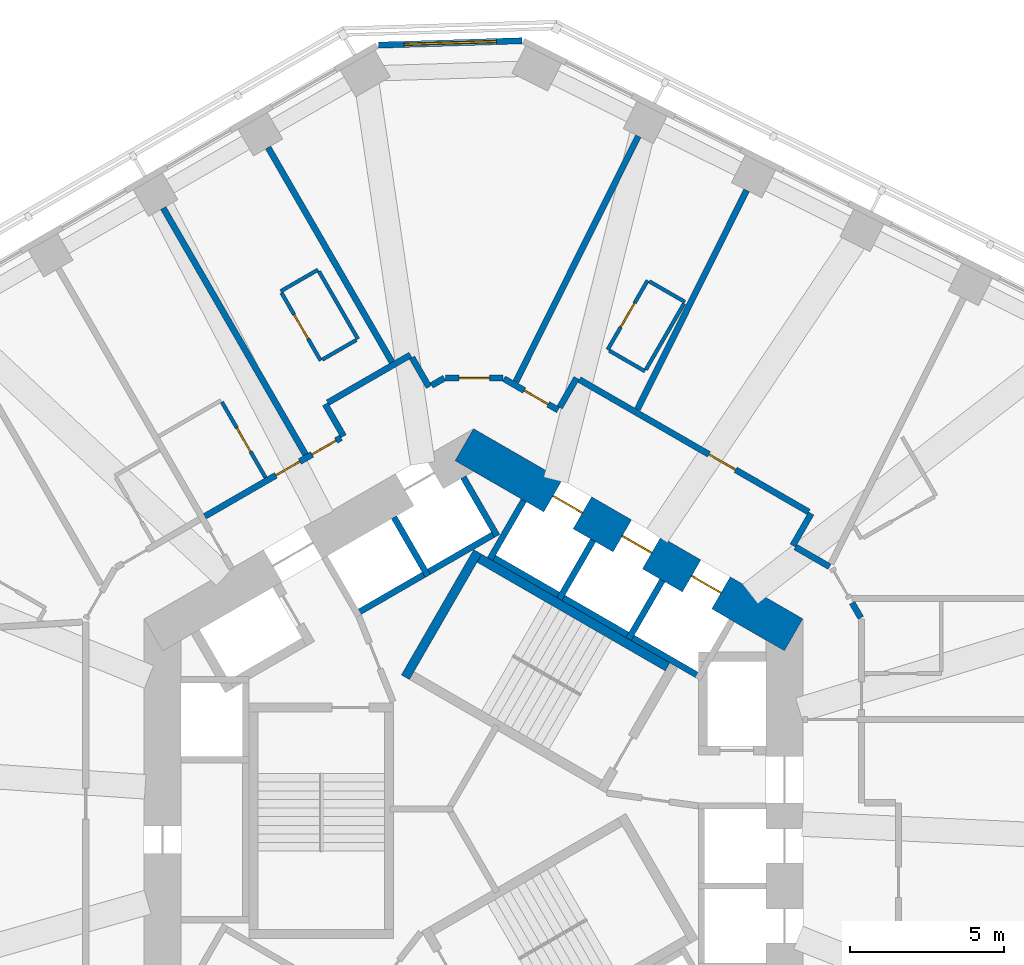
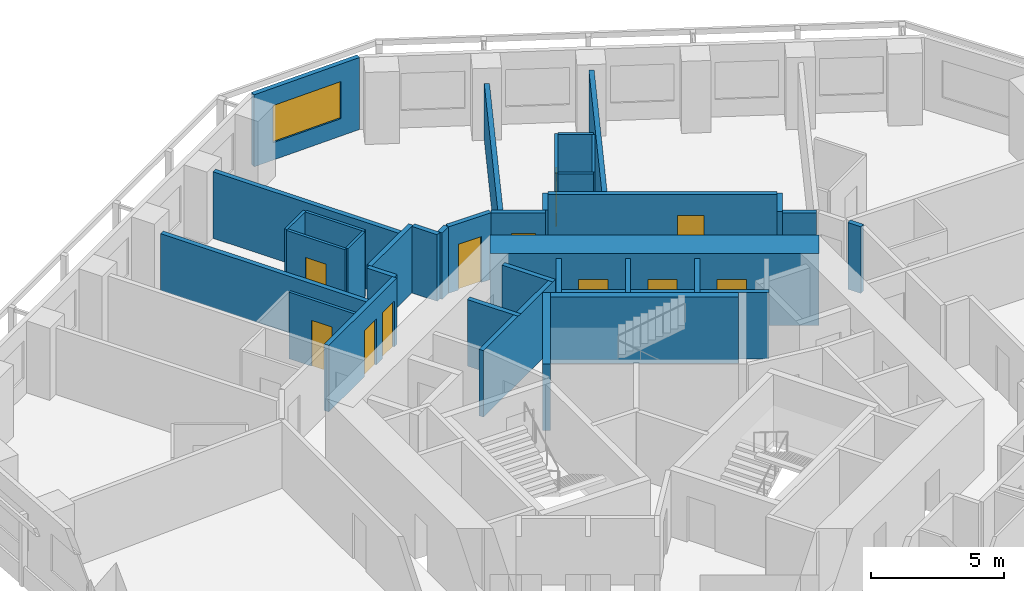
# One storey, part 8 of 12: 36 walls, 11 doors, 1 window, 12 openings.
"""IFC4 building model written with IfcOpenShell, lengths in metres."""

from ifc_helpers import new_model, si_unit, direction, frame, frame_2d, origin, place, context, subcontext, project, spatial, rectangle, extrude, material, layer, layer_set, type_object, element, fill, save


model = new_model("IFC4")

# Units and contexts
model_context = context("Model", 3, precision=1e-05, world=origin(), true_north=direction((0.0, 1.0)))
body_context = subcontext(model_context, "Body", "Model", "MODEL_VIEW")
ifc_project = project(units=[si_unit("LENGTHUNIT", "METRE"), si_unit("AREAUNIT", "SQUARE_METRE"), si_unit("VOLUMEUNIT", "CUBIC_METRE"), si_unit("PLANEANGLEUNIT", "RADIAN"), si_unit("MASSUNIT", "GRAM", prefix="KILO")], contexts=[model_context])

# Site, building, storey
site_placement = place(None, origin())
site = spatial("IfcSite", under=ifc_project, at=site_placement, CompositionType="ELEMENT")
building_placement = place(site_placement, origin())
building = spatial("IfcBuilding", under=site, at=building_placement, Name="Vanh Sen Convention Tower", CompositionType="ELEMENT")
storey_placement = place(building_placement, frame((0.0, 0.0, 110.0)))
storey = spatial("IfcBuildingStorey", under=building, at=storey_placement, Name="L26", CompositionType="ELEMENT", Elevation=110.0)

# Wall, opening, door
ifc_material_1 = material(Name="Moisture-resistant gypsum board on steel studs", Category="steel")
ifc_layer_1 = layer(ifc_material_1, 0.1201171875)
ifc_layer_set_1 = layer_set([ifc_layer_1], Name="Moisture-resistant gypsum board on steel studs")
wall_type_1 = type_object("IfcWallType", Name="Bathroom partition 120", PredefinedType="PARTITIONING", material=ifc_layer_set_1)
wall_1_placement = place(storey_placement, frame((-8.177001953125, 13.222900390625, 0.0), z_axis=(0.0, 0.0, 1.0), x_axis=(0.500087089641, -0.865975116718, 0.0)))
wall_1 = element("IfcWall", 1, at=wall_1_placement, inside=storey, type_object=wall_type_1, Name="Bathroom partition 120", PredefinedType="PARTITIONING", context=body_context, shape_type="SweptSolid", body=[
    extrude(rectangle(XDim=2.83984375, YDim=0.1201171875, at=frame_2d((1.419921875, 0.0))), origin(), (0.0, 0.0, 1.0), 3.050048828125),
])
opening_1_placement = place(wall_1_placement, frame((0.969970703125, 0.0, 0.0)))
opening_1 = element("IfcOpeningElement", 2, at=opening_1_placement, cuts=wall_1, Name="Opening D25113", PredefinedType="OPENING", context=body_context, shape_type="SweptSolid", body=[
    extrude(rectangle(XDim=0.89990234375, YDim=2.10009765625, at=frame_2d((0.449951171875, 1.050048828125))), frame((0.0, 0.070068359375, 0.0), z_axis=(0.0, -1.0, 0.0), x_axis=(1.0, 0.0, 0.0)), (0.0, 0.0, 1.0), 0.14013671875),
])
ifc_material_2 = material(Name="Laminate door in steel frame", Category="steel")
door_type_1 = type_object("IfcDoorType", Name="En-suite door 900", OperationType="SINGLE_SWING_LEFT", PredefinedType="DOOR", material=ifc_material_2)
door_1_placement = place(opening_1_placement, origin())
door_1 = element("IfcDoor", 3, at=door_1_placement, inside=storey, type_object=door_type_1, Name="En-suite door D25113", OperationType="SINGLE_SWING_LEFT", OverallHeight=2.10009765625, OverallWidth=0.89990234375, PredefinedType="DOOR", context=body_context, shape_type="SweptSolid", body=[
    extrude(rectangle(XDim=0.89990234375, YDim=2.10009765625, at=frame_2d((0.449951171875, 1.050048828125))), frame((0.0, 0.02490234375, 0.0), z_axis=(0.0, -1.0, 0.0), x_axis=(1.0, 0.0, 0.0)), (0.0, 0.0, 1.0), 0.050048828125),
])
fill(opening_1, door_1)

# Walls
wall_2_placement = place(storey_placement, frame((-6.268310546875, 16.8203125, 0.0), z_axis=(0.0, 0.0, 1.0), x_axis=(0.866002662425, 0.500039387122, 0.0)))
element("IfcWall", 4, at=wall_2_placement, inside=storey, type_object=wall_type_1, Name="Bathroom partition 120", PredefinedType="PARTITIONING", context=body_context, shape_type="SweptSolid", body=[
    extrude(rectangle(XDim=1.400390625, YDim=0.1201171875, at=frame_2d((0.7001953125, 0.0))), origin(), (0.0, 0.0, 1.0), 3.050048828125),
])
wall_3_placement = place(storey_placement, frame((-5.025634765625, 17.468505859375, 0.0), z_axis=(0.0, 0.0, 1.0), x_axis=(0.500005339912, -0.866022320763, 0.0)))
element("IfcWall", 5, at=wall_3_placement, inside=storey, type_object=wall_type_1, Name="Bathroom partition 120", PredefinedType="PARTITIONING", context=body_context, shape_type="SweptSolid", body=[
    extrude(rectangle(XDim=2.5400390625, YDim=0.1201171875, at=frame_2d((1.27001953125, 0.0))), origin(), (0.0, 0.0, 1.0), 3.050048828125),
])

# Wall, opening, door
wall_4_placement = place(storey_placement, frame((-4.96826171875, 14.56884765625, 0.0), z_axis=(0.0, 0.0, 1.0), x_axis=(-0.500046963369, 0.865998287773, 0.0)))
wall_4 = element("IfcWall", 6, at=wall_4_placement, inside=storey, type_object=wall_type_1, Name="Bathroom partition 120", PredefinedType="PARTITIONING", context=body_context, shape_type="SweptSolid", body=[
    extrude(rectangle(XDim=2.539794921875, YDim=0.1201171875, at=frame_2d((1.27001953125, 0.0))), origin(), (0.0, 0.0, 1.0), 3.050048828125),
])
opening_2_placement = place(wall_4_placement, frame((0.820068359375, 0.0, 0.0)))
opening_2 = element("IfcOpeningElement", 7, at=opening_2_placement, cuts=wall_4, Name="Opening D25111", PredefinedType="OPENING", context=body_context, shape_type="SweptSolid", body=[
    extrude(rectangle(XDim=0.89990234375, YDim=2.10009765625, at=frame_2d((0.449951171875, 1.050048828125))), frame((0.0, 0.070068359375, 0.0), z_axis=(0.0, -1.0, 0.0), x_axis=(1.0, 0.0, 0.0)), (0.0, 0.0, 1.0), 0.14013671875),
])
door_2_placement = place(opening_2_placement, origin())
door_2 = element("IfcDoor", 8, at=door_2_placement, inside=storey, type_object=door_type_1, Name="En-suite door D25111", OperationType="SINGLE_SWING_LEFT", OverallHeight=2.10009765625, OverallWidth=0.89990234375, PredefinedType="DOOR", context=body_context, shape_type="SweptSolid", body=[
    extrude(rectangle(XDim=0.89990234375, YDim=2.10009765625, at=frame_2d((0.449951171875, 1.050048828125))), frame((0.0, 0.02490234375, 0.0), z_axis=(0.0, -1.0, 0.0), x_axis=(1.0, 0.0, 0.0)), (0.0, 0.0, 1.0), 0.050048828125),
])
fill(opening_2, door_2)

# Wall
wall_5_placement = place(storey_placement, frame((-3.8076171875, 15.23876953125, 0.0), z_axis=(0.0, 0.0, 1.0), x_axis=(-0.866087136806, -0.499893060024, 0.0)))
element("IfcWall", 9, at=wall_5_placement, inside=storey, type_object=wall_type_1, Name="Bathroom partition 120", PredefinedType="PARTITIONING", context=body_context, shape_type="SweptSolid", body=[
    extrude(rectangle(XDim=1.280029296875, YDim=0.1201171875, at=frame_2d((0.64013671875, 0.0))), origin(), (0.0, 0.0, 1.0), 3.050048828125),
])

# Wall, opening, door
wall_6_placement = place(storey_placement, frame((4.356201171875, 14.922119140625, 0.0), z_axis=(0.0, 0.0, 1.0), x_axis=(0.499936506574, 0.866062058628, 0.0)))
wall_6 = element("IfcWall", 10, at=wall_6_placement, inside=storey, type_object=wall_type_1, Name="Bathroom partition 120", PredefinedType="PARTITIONING", context=body_context, shape_type="SweptSolid", body=[
    extrude(rectangle(XDim=2.599853515625, YDim=0.1201171875, at=frame_2d((1.2998046875, 0.0))), origin(), (0.0, 0.0, 1.0), 3.050048828125),
])
opening_3_placement = place(wall_6_placement, frame((0.85009765625, 0.0, 0.0)))
opening_3 = element("IfcOpeningElement", 11, at=opening_3_placement, cuts=wall_6, Name="Opening D25108", PredefinedType="OPENING", context=body_context, shape_type="SweptSolid", body=[
    extrude(rectangle(XDim=0.89990234375, YDim=2.10009765625, at=frame_2d((0.449951171875, 1.050048828125))), frame((0.0, 0.070068359375, 0.0), z_axis=(0.0, -1.0, 0.0), x_axis=(1.0, 0.0, 0.0)), (0.0, 0.0, 1.0), 0.14013671875),
])
door_3_placement = place(opening_3_placement, origin())
door_3 = element("IfcDoor", 12, at=door_3_placement, inside=storey, type_object=door_type_1, Name="En-suite door D25108", OperationType="SINGLE_SWING_LEFT", OverallHeight=2.10009765625, OverallWidth=0.89990234375, PredefinedType="DOOR", context=body_context, shape_type="SweptSolid", body=[
    extrude(rectangle(XDim=0.89990234375, YDim=2.10009765625, at=frame_2d((0.449951171875, 1.050048828125))), frame((0.0, 0.02490234375, 0.0), z_axis=(0.0, -1.0, 0.0), x_axis=(1.0, 0.0, 0.0)), (0.0, 0.0, 1.0), 0.050048828125),
])
fill(opening_3, door_3)

# Walls
wall_7_placement = place(storey_placement, frame((5.568603515625, 14.22216796875, 0.0), z_axis=(0.0, 0.0, 1.0), x_axis=(-0.866036909293, 0.499980071345, 0.0)))
element("IfcWall", 13, at=wall_7_placement, inside=storey, type_object=wall_type_1, Name="Bathroom partition 120", PredefinedType="PARTITIONING", context=body_context, shape_type="SweptSolid", body=[
    extrude(rectangle(XDim=1.33984375, YDim=0.1201171875, at=frame_2d((0.669921875, 0.0))), origin(), (0.0, 0.0, 1.0), 3.050048828125),
])
wall_8_placement = place(storey_placement, frame((5.7080078125, 17.143798828125, 0.0), z_axis=(0.0, 0.0, 1.0), x_axis=(0.866082447003, -0.499901185229, 0.0)))
element("IfcWall", 14, at=wall_8_placement, inside=storey, type_object=wall_type_1, Name="Bathroom partition 120", PredefinedType="PARTITIONING", context=body_context, shape_type="SweptSolid", body=[
    extrude(rectangle(XDim=1.340087890625, YDim=0.1201171875, at=frame_2d((0.669921875, 0.0))), origin(), (0.0, 0.0, 1.0), 3.050048828125),
])
wall_9_placement = place(storey_placement, frame((6.838623046875, 16.421875, 0.0), z_axis=(0.0, 0.0, 1.0), x_axis=(-0.50000366821, -0.866023285932, 0.0)))
element("IfcWall", 15, at=wall_9_placement, inside=storey, type_object=wall_type_1, Name="Bathroom partition 120", PredefinedType="PARTITIONING", context=body_context, shape_type="SweptSolid", body=[
    extrude(rectangle(XDim=2.47998046875, YDim=0.1201171875, at=frame_2d((1.239990234375, 0.0))), origin(), (0.0, 0.0, 1.0), 3.050048828125),
])

# Wall, openings, doors
ifc_material_3 = material(Name="Concrete C80/95", Category="concrete")
ifc_layer_2 = layer(ifc_material_3, 1.199951171875)
ifc_layer_set_2 = layer_set([ifc_layer_2], Name="Concrete C80/95")
wall_type_2 = type_object("IfcWallType", Name="Core outer wall 1200 C80/95", PredefinedType="SHEAR", material=ifc_layer_set_2)
wall_10_placement = place(storey_placement, frame((10.39990234375, 5.657958984375, 0.0), z_axis=(0.0, 0.0, 1.0), x_axis=(-0.866021384402, 0.500006961711, 0.0)))
wall_10 = element("IfcWall", 16, at=wall_10_placement, inside=storey, type_object=wall_type_2, Name="Core wall face NE L26", PredefinedType="SHEAR", context=body_context, shape_type="SweptSolid", body=[
    extrude(rectangle(XDim=12.355224609375, YDim=1.199951171875, at=frame_2d((6.177734375, 0.0))), origin(), (0.0, 0.0, 1.0), 3.300048828125),
])
opening_4_placement = place(wall_10_placement, frame((2.727783203125, 0.0, 0.0)))
opening_4 = element("IfcOpeningElement", 17, at=opening_4_placement, cuts=wall_10, Name="Opening LD-LR3", PredefinedType="OPENING", context=body_context, shape_type="SweptSolid", body=[
    extrude(rectangle(XDim=1.10009765625, YDim=2.10009765625, at=frame_2d((0.550048828125, 1.050048828125))), frame((0.0, 0.60986328125, 0.0), z_axis=(0.0, -1.0, 0.0), x_axis=(1.0, 0.0, 0.0)), (0.0, 0.0, 1.0), 1.219970703125),
])
opening_5_placement = place(wall_10_placement, frame((5.32763671875, 0.0, 0.0)))
opening_5 = element("IfcOpeningElement", 18, at=opening_5_placement, cuts=wall_10, Name="Opening LD-LR4", PredefinedType="OPENING", context=body_context, shape_type="SweptSolid", body=[
    extrude(rectangle(XDim=1.10009765625, YDim=2.10009765625, at=frame_2d((0.550048828125, 1.050048828125))), frame((0.0, 0.60986328125, 0.0), z_axis=(0.0, -1.0, 0.0), x_axis=(1.0, 0.0, 0.0)), (0.0, 0.0, 1.0), 1.219970703125),
])
opening_6_placement = place(wall_10_placement, frame((7.927734375, 0.0, 0.0)))
opening_6 = element("IfcOpeningElement", 19, at=opening_6_placement, cuts=wall_10, Name="Opening LD-LR5", PredefinedType="OPENING", context=body_context, shape_type="SweptSolid", body=[
    extrude(rectangle(XDim=1.10009765625, YDim=2.10009765625, at=frame_2d((0.550048828125, 1.050048828125))), frame((0.0, 0.60986328125, 0.0), z_axis=(0.0, -1.0, 0.0), x_axis=(1.0, 0.0, 0.0)), (0.0, 0.0, 1.0), 1.219970703125),
])
ifc_material_4 = material(Name="Stainless steel", Category="steel")
door_type_2 = type_object("IfcDoorType", Name="Lift landing door 1100", OperationType="DOUBLE_DOOR_SLIDING", PredefinedType="DOOR", material=ifc_material_4)
door_4_placement = place(opening_4_placement, origin())
door_4 = element("IfcDoor", 20, at=door_4_placement, inside=storey, type_object=door_type_2, Name="Lift LR3 landing door LD-LR3", OperationType="DOUBLE_DOOR_SLIDING", OverallHeight=2.10009765625, OverallWidth=1.10009765625, PredefinedType="DOOR", context=body_context, shape_type="SweptSolid", body=[
    extrude(rectangle(XDim=1.10009765625, YDim=2.10009765625, at=frame_2d((0.550048828125, 1.050048828125))), frame((0.0, 0.02490234375, 0.0), z_axis=(0.0, -1.0, 0.0), x_axis=(1.0, 0.0, 0.0)), (0.0, 0.0, 1.0), 0.050048828125),
])
fill(opening_4, door_4)
door_5_placement = place(opening_5_placement, origin())
door_5 = element("IfcDoor", 21, at=door_5_placement, inside=storey, type_object=door_type_2, Name="Lift LR4 landing door LD-LR4", OperationType="DOUBLE_DOOR_SLIDING", OverallHeight=2.10009765625, OverallWidth=1.10009765625, PredefinedType="DOOR", context=body_context, shape_type="SweptSolid", body=[
    extrude(rectangle(XDim=1.10009765625, YDim=2.10009765625, at=frame_2d((0.550048828125, 1.050048828125))), frame((0.0, 0.02490234375, 0.0), z_axis=(0.0, -1.0, 0.0), x_axis=(1.0, 0.0, 0.0)), (0.0, 0.0, 1.0), 0.050048828125),
])
fill(opening_5, door_5)
door_6_placement = place(opening_6_placement, origin())
door_6 = element("IfcDoor", 22, at=door_6_placement, inside=storey, type_object=door_type_2, Name="Lift LR5 landing door LD-LR5", OperationType="DOUBLE_DOOR_SLIDING", OverallHeight=2.10009765625, OverallWidth=1.10009765625, PredefinedType="DOOR", context=body_context, shape_type="SweptSolid", body=[
    extrude(rectangle(XDim=1.10009765625, YDim=2.10009765625, at=frame_2d((0.550048828125, 1.050048828125))), frame((0.0, 0.02490234375, 0.0), z_axis=(0.0, -1.0, 0.0), x_axis=(1.0, 0.0, 0.0)), (0.0, 0.0, 1.0), 0.050048828125),
])
fill(opening_6, door_6)

# Wall
ifc_material_5 = material(Name="Gypsum board on steel studs with mineral wool", Category="steel")
ifc_layer_3 = layer(ifc_material_5, 0.199951171875)
ifc_layer_set_3 = layer_set([ifc_layer_3], Name="Gypsum board on steel studs with mineral wool")
wall_type_3 = type_object("IfcWallType", Name="Corridor partition wall 200", PredefinedType="PARTITIONING", material=ifc_layer_set_3)
wall_11_placement = place(storey_placement, frame((-4.822998046875, 13.151611328125, 0.0), z_axis=(0.0, 0.0, 1.0), x_axis=(0.499986357472, -0.866033280158, 0.0)))
element("IfcWall", 23, at=wall_11_placement, inside=storey, type_object=wall_type_3, Name="Corridor partition wall 200", PredefinedType="PARTITIONING", context=body_context, shape_type="SweptSolid", body=[
    extrude(rectangle(XDim=1.201171875, YDim=0.199951171875, at=frame_2d((0.6005859375, 0.0))), origin(), (0.0, 0.0, 1.0), 3.050048828125),
])

# Wall, openings, doors
wall_12_placement = place(storey_placement, frame((-4.30908203125, 12.061279296875, 0.0), z_axis=(0.0, 0.0, 1.0), x_axis=(-0.866020679205, -0.500008183122, 0.0)))
wall_12 = element("IfcWall", 24, at=wall_12_placement, inside=storey, type_object=wall_type_3, Name="Corridor partition wall 200", PredefinedType="PARTITIONING", context=body_context, shape_type="SweptSolid", body=[
    extrude(rectangle(XDim=5.103515625, YDim=0.199951171875, at=frame_2d((2.5517578125, 0.0))), origin(), (0.0, 0.0, 1.0), 3.050048828125),
])
opening_7_placement = place(wall_12_placement, frame((0.1845703125, 0.0, 0.0)))
opening_7 = element("IfcOpeningElement", 25, at=opening_7_placement, cuts=wall_12, Name="Opening D25110", PredefinedType="OPENING", context=body_context, shape_type="SweptSolid", body=[
    extrude(rectangle(XDim=0.89990234375, YDim=2.10009765625, at=frame_2d((0.449951171875, 1.050048828125))), frame((0.0, 0.10986328125, 0.0), z_axis=(0.0, -1.0, 0.0), x_axis=(1.0, 0.0, 0.0)), (0.0, 0.0, 1.0), 0.219970703125),
])
opening_8_placement = place(wall_12_placement, frame((1.5439453125, 0.0, 0.0)))
opening_8 = element("IfcOpeningElement", 26, at=opening_8_placement, cuts=wall_12, Name="Opening D25112", PredefinedType="OPENING", context=body_context, shape_type="SweptSolid", body=[
    extrude(rectangle(XDim=0.89990234375, YDim=2.10009765625, at=frame_2d((0.449951171875, 1.050048828125))), frame((0.0, 0.10986328125, 0.0), z_axis=(0.0, -1.0, 0.0), x_axis=(1.0, 0.0, 0.0)), (0.0, 0.0, 1.0), 0.219970703125),
])
ifc_material_6 = material(Name="Timber fire door in steel frame", Category="steel")
door_type_3 = type_object("IfcDoorType", Name="Guest room door 900", OperationType="SINGLE_SWING_LEFT", PredefinedType="DOOR", material=ifc_material_6)
door_7_placement = place(opening_7_placement, origin())
door_7 = element("IfcDoor", 27, at=door_7_placement, inside=storey, type_object=door_type_3, Name="Hotel guest room door D25110", OperationType="SINGLE_SWING_LEFT", OverallHeight=2.10009765625, OverallWidth=0.89990234375, PredefinedType="DOOR", context=body_context, shape_type="SweptSolid", body=[
    extrude(rectangle(XDim=0.89990234375, YDim=2.10009765625, at=frame_2d((0.449951171875, 1.050048828125))), frame((0.0, 0.02490234375, 0.0), z_axis=(0.0, -1.0, 0.0), x_axis=(1.0, 0.0, 0.0)), (0.0, 0.0, 1.0), 0.050048828125),
])
fill(opening_7, door_7)
door_8_placement = place(opening_8_placement, origin())
door_8 = element("IfcDoor", 28, at=door_8_placement, inside=storey, type_object=door_type_3, Name="Hotel guest room door D25112", OperationType="SINGLE_SWING_LEFT", OverallHeight=2.10009765625, OverallWidth=0.89990234375, PredefinedType="DOOR", context=body_context, shape_type="SweptSolid", body=[
    extrude(rectangle(XDim=0.89990234375, YDim=2.10009765625, at=frame_2d((0.449951171875, 1.050048828125))), frame((0.0, 0.02490234375, 0.0), z_axis=(0.0, -1.0, 0.0), x_axis=(1.0, 0.0, 0.0)), (0.0, 0.0, 1.0), 0.050048828125),
])
fill(opening_8, door_8)

# Walls
wall_13_placement = place(storey_placement, frame((-2.0498046875, 14.75244140625, 0.0), z_axis=(0.0, 0.0, 1.0), x_axis=(-0.866030936828, -0.499990416364, 0.0)))
element("IfcWall", 29, at=wall_13_placement, inside=storey, type_object=wall_type_3, Name="Corridor partition wall 200", PredefinedType="PARTITIONING", context=body_context, shape_type="SweptSolid", body=[
    extrude(rectangle(XDim=3.10205078125, YDim=0.199951171875, at=frame_2d((1.551025390625, 0.0))), origin(), (0.0, 0.0, 1.0), 3.050048828125),
])
wall_14_placement = place(storey_placement, frame((-1.449462890625, 13.71240234375, 0.0), z_axis=(0.0, 0.0, 1.0), x_axis=(-0.499978356969, 0.866037899034, 0.0)))
element("IfcWall", 30, at=wall_14_placement, inside=storey, type_object=wall_type_3, Name="Corridor partition wall 200", PredefinedType="PARTITIONING", context=body_context, shape_type="SweptSolid", body=[
    extrude(rectangle(XDim=1.10107421875, YDim=0.199951171875, at=frame_2d((0.550537109375, 0.0))), origin(), (0.0, 0.0, 1.0), 3.050048828125),
])
wall_15_placement = place(storey_placement, frame((-0.949951171875, 14.000732421875, 0.0), z_axis=(0.0, 0.0, 1.0), x_axis=(-0.86609177584, -0.499885022602, 0.0)))
element("IfcWall", 31, at=wall_15_placement, inside=storey, type_object=wall_type_3, Name="Corridor partition wall 200", PredefinedType="PARTITIONING", context=body_context, shape_type="SweptSolid", body=[
    extrude(rectangle(XDim=0.4765625, YDim=0.199951171875, at=frame_2d((0.23828125, 0.0))), origin(), (0.0, 0.0, 1.0), 3.050048828125),
])

# Wall, opening, door
wall_16_placement = place(storey_placement, frame((0.949951171875, 14.000732421875, 0.0), z_axis=(0.0, 0.0, 1.0), x_axis=(-1.0, 0.0, 0.0)))
wall_16 = element("IfcWall", 32, at=wall_16_placement, inside=storey, type_object=wall_type_3, Name="Corridor partition wall 200", PredefinedType="PARTITIONING", context=body_context, shape_type="SweptSolid", body=[
    extrude(rectangle(XDim=1.85986328125, YDim=0.199951171875, at=frame_2d((0.929931640625, 0.0))), origin(), (0.0, 0.0, 1.0), 3.050048828125),
])
opening_9_placement = place(wall_16_placement, frame((0.429931640625, 0.0, 0.0)))
opening_9 = element("IfcOpeningElement", 33, at=opening_9_placement, cuts=wall_16, Name="Opening D25109", PredefinedType="OPENING", context=body_context, shape_type="SweptSolid", body=[
    extrude(rectangle(XDim=1.0, YDim=2.10009765625, at=frame_2d((0.5, 1.050048828125))), frame((0.0, 0.10986328125, 0.0), z_axis=(0.0, -1.0, 0.0), x_axis=(1.0, 0.0, 0.0)), (0.0, 0.0, 1.0), 0.219970703125),
])
door_type_4 = type_object("IfcDoorType", Name="Floor room door 1000", OperationType="SINGLE_SWING_LEFT", PredefinedType="DOOR", material=ifc_material_6)
door_9_placement = place(opening_9_placement, origin())
door_9 = element("IfcDoor", 34, at=door_9_placement, inside=storey, type_object=door_type_4, Name="Meeting and amenity room door D25109", OperationType="SINGLE_SWING_LEFT", OverallHeight=2.10009765625, OverallWidth=1.0, PredefinedType="DOOR", context=body_context, shape_type="SweptSolid", body=[
    extrude(rectangle(XDim=1.0, YDim=2.10009765625, at=frame_2d((0.5, 1.050048828125))), frame((0.0, 0.02490234375, 0.0), z_axis=(0.0, -1.0, 0.0), x_axis=(1.0, 0.0, 0.0)), (0.0, 0.0, 1.0), 0.050048828125),
])
fill(opening_9, door_9)

wall_17_placement = place(storey_placement, frame((2.748291015625, 12.96240234375, 0.0), z_axis=(0.0, 0.0, 1.0), x_axis=(-0.866013897511, 0.50001992892, 0.0)))
wall_17 = element("IfcWall", 35, at=wall_17_placement, inside=storey, type_object=wall_type_3, Name="Corridor partition wall 200", PredefinedType="PARTITIONING", context=body_context, shape_type="SweptSolid", body=[
    extrude(rectangle(XDim=2.03662109375, YDim=0.199951171875, at=frame_2d((1.018310546875, 0.0))), origin(), (0.0, 0.0, 1.0), 3.050048828125),
])
opening_10_placement = place(wall_17_placement, frame((0.371826171875, 0.0, 0.0)))
opening_10 = element("IfcOpeningElement", 36, at=opening_10_placement, cuts=wall_17, Name="Opening D25107", PredefinedType="OPENING", context=body_context, shape_type="SweptSolid", body=[
    extrude(rectangle(XDim=0.89990234375, YDim=2.10009765625, at=frame_2d((0.449951171875, 1.050048828125))), frame((0.0, 0.10986328125, 0.0), z_axis=(0.0, -1.0, 0.0), x_axis=(1.0, 0.0, 0.0)), (0.0, 0.0, 1.0), 0.219970703125),
])
door_10_placement = place(opening_10_placement, origin())
door_10 = element("IfcDoor", 37, at=door_10_placement, inside=storey, type_object=door_type_3, Name="Hotel guest room door D25107", OperationType="SINGLE_SWING_LEFT", OverallHeight=2.10009765625, OverallWidth=0.89990234375, PredefinedType="DOOR", context=body_context, shape_type="SweptSolid", body=[
    extrude(rectangle(XDim=0.89990234375, YDim=2.10009765625, at=frame_2d((0.449951171875, 1.050048828125))), frame((0.0, 0.02490234375, 0.0), z_axis=(0.0, -1.0, 0.0), x_axis=(1.0, 0.0, 0.0)), (0.0, 0.0, 1.0), 0.050048828125),
])
fill(opening_10, door_10)

# Walls
wall_18_placement = place(storey_placement, frame((3.348876953125, 14.00244140625, 0.0), z_axis=(0.0, 0.0, 1.0), x_axis=(-0.500074377092, -0.865982457891, 0.0)))
element("IfcWall", 38, at=wall_18_placement, inside=storey, type_object=wall_type_3, Name="Corridor partition wall 200", PredefinedType="PARTITIONING", context=body_context, shape_type="SweptSolid", body=[
    extrude(rectangle(XDim=1.100830078125, YDim=0.199951171875, at=frame_2d((0.55029296875, 0.0))), origin(), (0.0, 0.0, 1.0), 3.050048828125),
])
wall_19_placement = place(storey_placement, frame((10.37109375, 8.561279296875, 0.0), z_axis=(0.0, 0.0, 1.0), x_axis=(0.499986357472, 0.866033280158, 0.0)))
element("IfcWall", 39, at=wall_19_placement, inside=storey, type_object=wall_type_3, Name="Corridor partition wall 200", PredefinedType="PARTITIONING", context=body_context, shape_type="SweptSolid", body=[
    extrude(rectangle(XDim=1.201171875, YDim=0.199951171875, at=frame_2d((0.6005859375, 0.0))), origin(), (0.0, 0.0, 1.0), 3.050048828125),
])

# Wall, opening, door
wall_20_placement = place(storey_placement, frame((10.885009765625, 9.651611328125, 0.0), z_axis=(0.0, 0.0, 1.0), x_axis=(-0.866033868542, 0.499985338323, 0.0)))
wall_20 = element("IfcWall", 40, at=wall_20_placement, inside=storey, type_object=wall_type_3, Name="Corridor partition wall 200", PredefinedType="PARTITIONING", context=body_context, shape_type="SweptSolid", body=[
    extrude(rectangle(XDim=8.601806640625, YDim=0.199951171875, at=frame_2d((4.30078125, 0.0))), origin(), (0.0, 0.0, 1.0), 3.050048828125),
])
opening_11_placement = place(wall_20_placement, frame((2.738525390625, 0.0, 0.0)))
opening_11 = element("IfcOpeningElement", 41, at=opening_11_placement, cuts=wall_20, Name="Opening D25106", PredefinedType="OPENING", context=body_context, shape_type="SweptSolid", body=[
    extrude(rectangle(XDim=1.0, YDim=2.10009765625, at=frame_2d((0.5, 1.050048828125))), frame((0.0, 0.10986328125, 0.0), z_axis=(0.0, -1.0, 0.0), x_axis=(1.0, 0.0, 0.0)), (0.0, 0.0, 1.0), 0.219970703125),
])
door_11_placement = place(opening_11_placement, origin())
door_11 = element("IfcDoor", 42, at=door_11_placement, inside=storey, type_object=door_type_4, Name="Meeting and amenity room door D25106", OperationType="SINGLE_SWING_LEFT", OverallHeight=2.10009765625, OverallWidth=1.0, PredefinedType="DOOR", context=body_context, shape_type="SweptSolid", body=[
    extrude(rectangle(XDim=1.0, YDim=2.10009765625, at=frame_2d((0.5, 1.050048828125))), frame((0.0, 0.02490234375, 0.0), z_axis=(0.0, -1.0, 0.0), x_axis=(1.0, 0.0, 0.0)), (0.0, 0.0, 1.0), 0.050048828125),
])
fill(opening_11, door_11)

# Walls
wall_21_placement = place(storey_placement, frame((11.56640625, 7.871337890625, 0.0), z_axis=(0.0, 0.0, 1.0), x_axis=(-0.866004557827, 0.500036104519, 0.0)))
element("IfcWall", 43, at=wall_21_placement, inside=storey, type_object=wall_type_3, Name="Corridor partition wall 200", PredefinedType="PARTITIONING", context=body_context, shape_type="SweptSolid", body=[
    extrude(rectangle(XDim=1.2802734375, YDim=0.199951171875, at=frame_2d((0.64013671875, 0.0))), origin(), (0.0, 0.0, 1.0), 3.050048828125),
])
wall_22_placement = place(storey_placement, frame((12.580078125, 6.212158203125, 0.0), z_axis=(0.0, 0.0, 1.0), x_axis=(-0.499936258447, 0.86606220186, 0.0)))
element("IfcWall", 44, at=wall_22_placement, inside=storey, type_object=wall_type_3, Name="Corridor partition wall 200", PredefinedType="PARTITIONING", context=body_context, shape_type="SweptSolid", body=[
    extrude(rectangle(XDim=0.56005859375, YDim=0.199951171875, at=frame_2d((0.280029296875, 0.0))), origin(), (0.0, 0.0, 1.0), 3.050048828125),
])

# Wall, opening, window
ifc_material_7 = material(Name="Insulated lightweight infill wall")
ifc_layer_4 = layer(ifc_material_7, 0.199951171875)
ifc_layer_set_4 = layer_set([ifc_layer_4], Name="Insulated lightweight infill wall")
wall_type_4 = type_object("IfcWallType", Name="External wall 200", PredefinedType="STANDARD", material=ifc_layer_set_4)
wall_23_placement = place(storey_placement, frame((1.568359375, 24.9609375, 0.0), z_axis=(0.0, 0.0, 1.0), x_axis=(-0.999533359013, -0.030546099927, 0.0)))
wall_23 = element("IfcWall", 45, at=wall_23_placement, inside=storey, type_object=wall_type_4, Name="External wall CH2 L26", PredefinedType="STANDARD", context=body_context, shape_type="SweptSolid", body=[
    extrude(rectangle(XDim=4.65966796875, YDim=0.199951171875, at=frame_2d((2.329833984375, 0.0))), origin(), (0.0, 0.0, 1.0), 3.300048828125),
])
opening_12_placement = place(wall_23_placement, frame((0.829833984375, 0.0, 0.800048828125)))
opening_12 = element("IfcOpeningElement", 46, at=opening_12_placement, cuts=wall_23, Name="Opening WH2-CH21", PredefinedType="OPENING", context=body_context, shape_type="SweptSolid", body=[
    extrude(rectangle(XDim=3.0, YDim=1.699951171875, at=frame_2d((1.5, 0.85009765625))), frame((0.0, 0.10986328125, 0.0), z_axis=(0.0, -1.0, 0.0), x_axis=(1.0, 0.0, 0.0)), (0.0, 0.0, 1.0), 0.219970703125),
])
ifc_material_8 = material(Name="Aluminium frame with clear low-emissivity glass", Category="aluminium")
window_type = type_object("IfcWindowType", Name="Hotel window 3000 x 1700", PartitioningType="SINGLE_PANEL", PredefinedType="WINDOW", material=ifc_material_8)
window_placement = place(opening_12_placement, origin())
window = element("IfcWindow", 47, at=window_placement, inside=storey, type_object=window_type, Name="Window WH2-CH21", OverallHeight=1.699951171875, OverallWidth=3.0, PartitioningType="SINGLE_PANEL", PredefinedType="WINDOW", context=body_context, shape_type="SweptSolid", body=[
    extrude(rectangle(XDim=3.0, YDim=1.699951171875, at=frame_2d((1.5, 0.85009765625))), frame((0.0, 0.030029296875, 0.0), z_axis=(0.0, -1.0, 0.0), x_axis=(1.0, 0.0, 0.0)), (0.0, 0.0, 1.0), 0.06005859375),
])
fill(opening_12, window)

# Walls
ifc_layer_5 = layer(ifc_material_5, 0.199951171875)
ifc_layer_set_5 = layer_set([ifc_layer_5], Name="Gypsum board on steel studs with mineral wool")
wall_type_5 = type_object("IfcWallType", Name="Hotel party wall 200", PredefinedType="PARTITIONING", material=ifc_layer_set_5)
wall_24_placement = place(storey_placement, frame((-10.0830078125, 19.5244140625, 0.0), z_axis=(0.0, 0.0, 1.0), x_axis=(0.499999662836, -0.866025598446, 0.0)))
element("IfcWall", 48, at=wall_24_placement, inside=storey, type_object=wall_type_5, Name="Hotel party wall 200", PredefinedType="PARTITIONING", context=body_context, shape_type="SweptSolid", body=[
    extrude(rectangle(XDim=9.25, YDim=0.199951171875, at=frame_2d((4.625, 0.0))), origin(), (0.0, 0.0, 1.0), 2.60009765625),
])
wall_25_placement = place(storey_placement, frame((-6.675537109375, 21.49169921875, 0.0), z_axis=(0.0, 0.0, 1.0), x_axis=(0.500011263043, -0.866018900966, 0.0)))
element("IfcWall", 49, at=wall_25_placement, inside=storey, type_object=wall_type_5, Name="Hotel party wall 200", PredefinedType="PARTITIONING", context=body_context, shape_type="SweptSolid", body=[
    extrude(rectangle(XDim=8.049072265625, YDim=0.199951171875, at=frame_2d((4.0244140625, 0.0))), origin(), (0.0, 0.0, 1.0), 3.050048828125),
])
wall_26_placement = place(storey_placement, frame((5.35107421875, 21.859130859375, 0.0), z_axis=(0.0, 0.0, 1.0), x_axis=(-0.446205309328, -0.894930624086, 0.0)))
element("IfcWall", 50, at=wall_26_placement, inside=storey, type_object=wall_type_5, Name="Hotel party wall 200", PredefinedType="PARTITIONING", context=body_context, shape_type="SweptSolid", body=[
    extrude(rectangle(XDim=8.9130859375, YDim=0.199951171875, at=frame_2d((4.45654296875, 0.0))), origin(), (0.0, 0.0, 1.0), 2.60009765625),
])
wall_27_placement = place(storey_placement, frame((8.872314453125, 20.103515625, 0.0), z_axis=(0.0, 0.0, 1.0), x_axis=(-0.446218378653, -0.894924107706, 0.0)))
element("IfcWall", 51, at=wall_27_placement, inside=storey, type_object=wall_type_5, Name="Hotel party wall 200", PredefinedType="PARTITIONING", context=body_context, shape_type="SweptSolid", body=[
    extrude(rectangle(XDim=7.950439453125, YDim=0.199951171875, at=frame_2d((3.97509765625, 0.0))), origin(), (0.0, 0.0, 1.0), 3.050048828125),
])
ifc_material_9 = material(Name="Concrete C40/50", Category="concrete")
ifc_layer_6 = layer(ifc_material_9, 0.199951171875)
ifc_layer_set_6 = layer_set([ifc_layer_6], Name="Concrete C40/50")
wall_type_6 = type_object("IfcWallType", Name="Lift shaft wall 200", PredefinedType="PARTITIONING", material=ifc_layer_set_6)
wall_28_placement = place(storey_placement, frame((7.423828125, 4.258544921875, 0.0), z_axis=(0.0, 0.0, 1.0), x_axis=(-0.866026010844, 0.49999894854, 0.0)))
element("IfcWall", 52, at=wall_28_placement, inside=storey, type_object=wall_type_6, Name="Lift shaft wall L26", PredefinedType="PARTITIONING", context=body_context, shape_type="SweptSolid", body=[
    extrude(rectangle(XDim=8.0, YDim=0.199951171875, at=frame_2d((4.0, 0.0))), origin(), (0.0, 0.0, 1.0), 3.050048828125),
])
for number, where, z_axis, x_axis, name in (
    (53, (5.03564453125, 5.52197265625, 0.0), (0.0, 0.0, 1.0), (0.499946605688, 0.86605622881, 0.0), "Lift shaft wall L26"),
    (54, (2.783935546875, 6.822021484375, 0.0), (0.0, 0.0, 1.0), (0.50002983664, 0.866008176907, 0.0), "Lift shaft wall L26"),
    (55, (0.5322265625, 8.1220703125, 0.0), (0.0, 0.0, 1.0), (0.500077893725, 0.86598042715, 0.0), "Lift shaft wall L26"),
):
    element("IfcWall", number, at=place(storey_placement, frame(where, z_axis=z_axis, x_axis=x_axis)), inside=storey, type_object=wall_type_6, Name=name, PredefinedType="PARTITIONING", context=body_context, shape_type="SweptSolid", body=[
        extrude(rectangle(XDim=2.199951171875, YDim=0.199951171875, at=frame_2d((1.10009765625, 0.0))), origin(), (0.0, 0.0, 1.0), 3.050048828125),
    ])
wall_29_placement = place(storey_placement, frame((0.80322265625, 9.008544921875, 0.0), z_axis=(0.0, 0.0, 1.0), x_axis=(-0.866028230842, -0.499995103361, 0.0)))
element("IfcWall", 56, at=wall_29_placement, inside=storey, type_object=wall_type_6, Name="Lift shaft wall L26", PredefinedType="PARTITIONING", context=body_context, shape_type="SweptSolid", body=[
    extrude(rectangle(XDim=5.39990234375, YDim=0.199951171875, at=frame_2d((2.699951171875, 0.0))), origin(), (0.0, 0.0, 1.0), 3.050048828125),
])
wall_30_placement = place(storey_placement, frame((0.7666015625, 8.8720703125, 0.0), z_axis=(0.0, 0.0, 1.0), x_axis=(-0.499994660107, 0.866028486751, 0.0)))
element("IfcWall", 57, at=wall_30_placement, inside=storey, type_object=wall_type_6, Name="Lift shaft wall L26", PredefinedType="PARTITIONING", context=body_context, shape_type="SweptSolid", body=[
    extrude(rectangle(XDim=2.19970703125, YDim=0.199951171875, at=frame_2d((1.099853515625, 0.0))), origin(), (0.0, 0.0, 1.0), 3.050048828125),
])
wall_31_placement = place(storey_placement, frame((-1.48486328125, 7.572021484375, 0.0), z_axis=(0.0, 0.0, 1.0), x_axis=(-0.50002983664, 0.866008176907, 0.0)))
element("IfcWall", 58, at=wall_31_placement, inside=storey, type_object=wall_type_6, Name="Lift shaft wall L26", PredefinedType="PARTITIONING", context=body_context, shape_type="SweptSolid", body=[
    extrude(rectangle(XDim=2.199951171875, YDim=0.199951171875, at=frame_2d((1.10009765625, 0.0))), origin(), (0.0, 0.0, 1.0), 3.050048828125),
])
ifc_material_10 = material(Name="Concrete C60/75", Category="concrete")
ifc_layer_7 = layer(ifc_material_10, 0.300048828125)
ifc_layer_set_7 = layer_set([ifc_layer_7], Name="Concrete C60/75")
wall_type_7 = type_object("IfcWallType", Name="Stair wall 300", PredefinedType="SHEAR", material=ifc_layer_set_7)
wall_32_placement = place(storey_placement, frame((-2.216064453125, 4.28173828125, 0.0), z_axis=(0.0, 0.0, 1.0), x_axis=(0.499977259774, 0.866038532462, 0.0)))
element("IfcWall", 59, at=wall_32_placement, inside=storey, type_object=wall_type_7, Name="Stair wall L26", PredefinedType="SHEAR", context=body_context, shape_type="SweptSolid", body=[
    extrude(rectangle(XDim=4.699951171875, YDim=0.300048828125, at=frame_2d((2.35009765625, 0.0))), origin(), (0.0, 0.0, 1.0), 3.050048828125),
])
wall_33_placement = place(storey_placement, frame((6.302978515625, 4.6171875, 0.0), z_axis=(0.0, 0.0, 1.0), x_axis=(-0.866027801685, 0.499995846692, 0.0)))
element("IfcWall", 60, at=wall_33_placement, inside=storey, type_object=wall_type_7, Name="Stair wall L26", PredefinedType="SHEAR", context=body_context, shape_type="SweptSolid", body=[
    extrude(rectangle(XDim=7.06005859375, YDim=0.300048828125, at=frame_2d((3.530029296875, 0.0))), origin(), (0.0, 0.0, 1.0), 3.050048828125),
])

save(model, "model.ifc")
